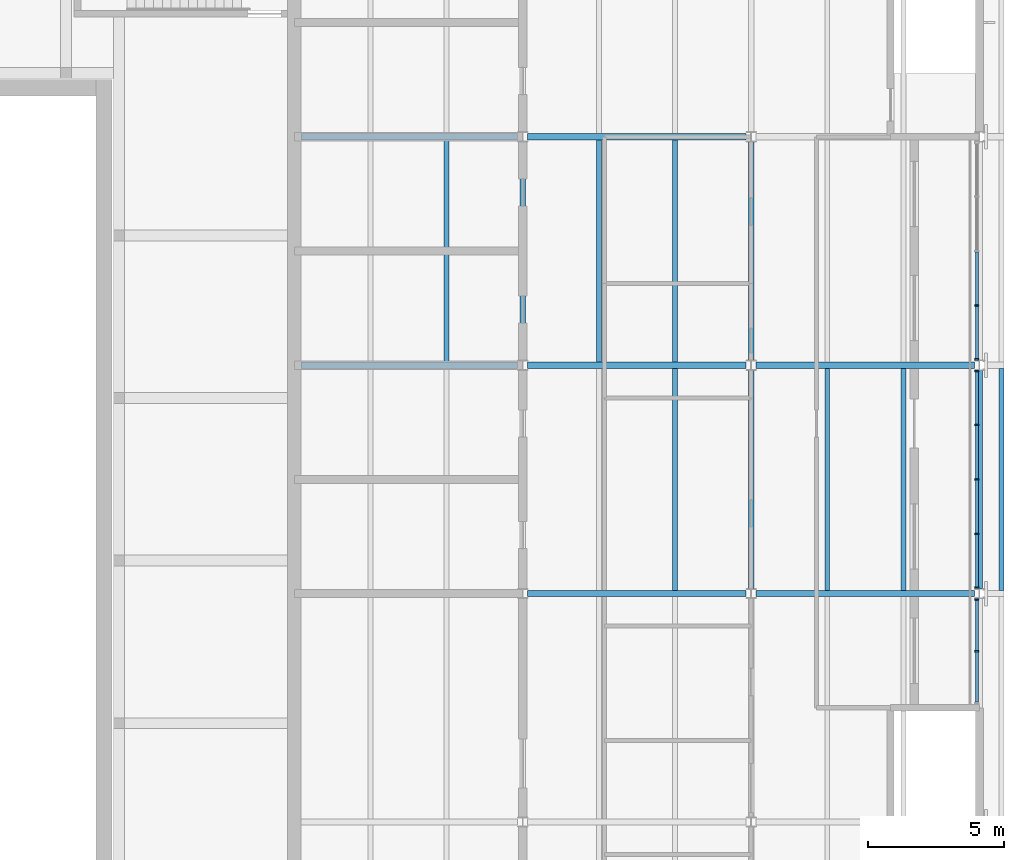
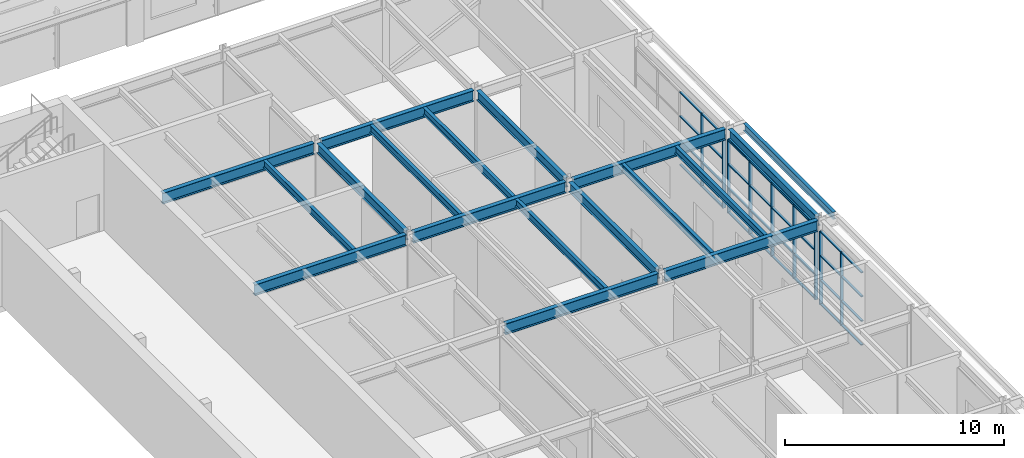
# One storey, part 48 of 116: 41 members, 18 beams, 3 elements without a shape of their own.
"""IFC4 building model written with IfcOpenShell, lengths in metres."""

from ifc_helpers import new_model, si_unit, direction, frame, origin, origin_2d, place, context, subcontext, project, spatial, rectangle, i_section, extrude, material, material_profile, profile_set, type_object, element, aggregate, save


model = new_model("IFC4")

# Units and contexts
model_context = context("Model", 3, precision=1e-05, world=origin(), true_north=direction((0.0, 1.0)))
body_context = subcontext(model_context, "Body", "Model", "MODEL_VIEW")
ifc_project = project(units=[si_unit("LENGTHUNIT", "METRE"), si_unit("AREAUNIT", "SQUARE_METRE"), si_unit("VOLUMEUNIT", "CUBIC_METRE"), si_unit("PLANEANGLEUNIT", "RADIAN"), si_unit("MASSUNIT", "GRAM", prefix="KILO")], contexts=[model_context])

# Site, building, storey
site_placement = place(None, origin())
site = spatial("IfcSite", under=ifc_project, at=site_placement, CompositionType="ELEMENT")
building_placement = place(site_placement, origin())
building = spatial("IfcBuilding", under=site, at=building_placement, Name="Ljudholm Concert House", CompositionType="ELEMENT")
storey_placement = place(building_placement, frame((0.0, 0.0, 10.199951171875)))
storey = spatial("IfcBuildingStorey", under=building, at=storey_placement, Name="L02", CompositionType="ELEMENT", Elevation=10.199951171875)

# Curtain wall, members
ifc_material_1 = material(Name="Aluminium curtain wall with fixed aluminium storm louvre blades, timber-grain finish", Category="aluminium")
curtain_wall_type = type_object("IfcCurtainWallType", Name="CURTAIN WALL 2000", PredefinedType="NOTDEFINED", material=ifc_material_1)
curtain_wall_1_placement = place(storey_placement, origin())
curtain_wall_1 = element("IfcCurtainWall", 1, at=curtain_wall_1_placement, inside=storey, type_object=curtain_wall_type, Name="Storm louvre screen", PredefinedType="NOTDEFINED")
ifc_material_2 = material(Name="Aluminium extrusion", Category="aluminium")
ifc_material_profile_1 = material_profile(ifc_material_2, rectangle(XDim=0.159912109375, YDim=0.06005859375, at=origin_2d()), Name="MULLION 60x160")
ifc_profile_set_1 = profile_set([ifc_material_profile_1], Name="Aluminium extrusion")
member_type_1 = type_object("IfcMemberType", Name="MULLION 60x160", PredefinedType="MULLION", material=ifc_profile_set_1)
member_1_placement = place(storey_placement, frame((121.5, 69.080078125, 0.0), z_axis=(0.0, 0.0, 1.0), x_axis=(-1.0, 0.0, 0.0)))
member_1 = element("IfcMember", 2, at=member_1_placement, type_object=member_type_1, Name="Mullion", PredefinedType="MULLION", context=body_context, shape_type="SweptSolid", body=[
    extrude(rectangle(XDim=0.159912109375, YDim=0.06005859375, at=origin_2d()), origin(), (0.0, 0.0, 1.0), 4.086669921875),
])
member_2_placement = place(storey_placement, frame((121.5, 70.97998046875, 0.0), z_axis=(0.0, 0.0, 1.0), x_axis=(-1.0, 0.0, 0.0)))
member_2 = element("IfcMember", 3, at=member_2_placement, type_object=member_type_1, Name="Mullion", PredefinedType="MULLION", context=body_context, shape_type="SweptSolid", body=[
    extrude(rectangle(XDim=0.159912109375, YDim=0.06005859375, at=origin_2d()), origin(), (0.0, 0.0, 1.0), 4.086669921875),
])

curtain_wall_2_placement = place(storey_placement, origin())
curtain_wall_2 = element("IfcCurtainWall", 4, at=curtain_wall_2_placement, inside=storey, type_object=curtain_wall_type, Name="Storm louvre screen", PredefinedType="NOTDEFINED")
member_3_placement = place(storey_placement, frame((121.5, 71.419921875, 0.0), z_axis=(0.0, 0.0, 1.0), x_axis=(-1.0, 0.0, 0.0)))
member_3 = element("IfcMember", 5, at=member_3_placement, type_object=member_type_1, Name="Mullion", PredefinedType="MULLION", context=body_context, shape_type="SweptSolid", body=[
    extrude(rectangle(XDim=0.159912109375, YDim=0.06005859375, at=origin_2d()), origin(), (0.0, 0.0, 1.0), 4.086669921875),
])
member_4_placement = place(storey_placement, frame((121.5, 73.39501953125, 0.0), z_axis=(0.0, 0.0, 1.0), x_axis=(-1.0, 0.0, 0.0)))
member_4 = element("IfcMember", 6, at=member_4_placement, type_object=member_type_1, Name="Mullion", PredefinedType="MULLION", context=body_context, shape_type="SweptSolid", body=[
    extrude(rectangle(XDim=0.159912109375, YDim=0.06005859375, at=origin_2d()), origin(), (0.0, 0.0, 1.0), 4.086669921875),
])
member_5_placement = place(storey_placement, frame((121.5, 75.39990234375, 0.0), z_axis=(0.0, 0.0, 1.0), x_axis=(-1.0, 0.0, 0.0)))
member_5 = element("IfcMember", 7, at=member_5_placement, type_object=member_type_1, Name="Mullion", PredefinedType="MULLION", context=body_context, shape_type="SweptSolid", body=[
    extrude(rectangle(XDim=0.159912109375, YDim=0.06005859375, at=origin_2d()), origin(), (0.0, 0.0, 1.0), 4.086669921875),
])
member_6_placement = place(storey_placement, frame((121.5, 77.405029296875, 0.0), z_axis=(0.0, 0.0, 1.0), x_axis=(-1.0, 0.0, 0.0)))
member_6 = element("IfcMember", 8, at=member_6_placement, type_object=member_type_1, Name="Mullion", PredefinedType="MULLION", context=body_context, shape_type="SweptSolid", body=[
    extrude(rectangle(XDim=0.159912109375, YDim=0.06005859375, at=origin_2d()), origin(), (0.0, 0.0, 1.0), 4.086669921875),
])
member_7_placement = place(storey_placement, frame((121.5, 79.3798828125, 0.0), z_axis=(0.0, 0.0, 1.0), x_axis=(-1.0, 0.0, 0.0)))
member_7 = element("IfcMember", 9, at=member_7_placement, type_object=member_type_1, Name="Mullion", PredefinedType="MULLION", context=body_context, shape_type="SweptSolid", body=[
    extrude(rectangle(XDim=0.159912109375, YDim=0.06005859375, at=origin_2d()), origin(), (0.0, 0.0, 1.0), 4.086669921875),
])

curtain_wall_3_placement = place(storey_placement, origin())
curtain_wall_3 = element("IfcCurtainWall", 10, at=curtain_wall_3_placement, inside=storey, type_object=curtain_wall_type, Name="Storm louvre screen", PredefinedType="NOTDEFINED")
member_8_placement = place(storey_placement, frame((121.5, 79.820068359375, 0.0), z_axis=(0.0, 0.0, 1.0), x_axis=(-1.0, 0.0, 0.0)))
member_8 = element("IfcMember", 11, at=member_8_placement, type_object=member_type_1, Name="Mullion", PredefinedType="MULLION", context=body_context, shape_type="SweptSolid", body=[
    extrude(rectangle(XDim=0.159912109375, YDim=0.06005859375, at=origin_2d()), origin(), (0.0, 0.0, 1.0), 4.086669921875),
])
member_9_placement = place(storey_placement, frame((121.5, 81.794921875, 0.0), z_axis=(0.0, 0.0, 1.0), x_axis=(-1.0, 0.0, 0.0)))
member_9 = element("IfcMember", 12, at=member_9_placement, type_object=member_type_1, Name="Mullion", PredefinedType="MULLION", context=body_context, shape_type="SweptSolid", body=[
    extrude(rectangle(XDim=0.159912109375, YDim=0.06005859375, at=origin_2d()), origin(), (0.0, 0.0, 1.0), 4.086669921875),
])

# Beams
ifc_material_3 = material(Name="Steel ASTM A992", Category="steel")
ifc_material_profile_2 = material_profile(ifc_material_3, i_section(OverallWidth=0.177734375, OverallDepth=0.406494140625, WebThickness=0.0078125, FlangeThickness=0.012939453125, FilletRadius=0.01025390625, at=origin_2d()), Name="W16X40")
ifc_profile_set_2 = profile_set([ifc_material_profile_2], Name="Steel ASTM A992")
beam_type_1 = type_object("IfcBeamType", Name="STEEL BEAM W16X40", PredefinedType="BEAM", material=ifc_profile_set_2)
for number, where, z_axis, x_axis, name in (
    (13, (102.0, 79.714599609375, 4.416748046875), (0.0, 1.0, 0.0), (-1.0, 0.0, 0.0), "Beam BOH-ROOF-sb-102-79.6"),
    (14, (110.39990234375, 71.314453125, 4.416748046875), (0.0, 1.0, 0.0), (-1.0, 0.0, 0.0), "Beam BOH-ROOF-sb-110.4-71.2"),
    (15, (107.60009765625, 79.714599609375, 4.416748046875), (0.0, 1.0, 0.0), (-1.0, 0.0, 0.0), "Beam BOH-ROOF-sb-107.6-79.6"),
    (16, (110.39990234375, 79.714599609375, 4.416748046875), (0.0, 1.0, 0.0), (-1.0, 0.0, 0.0), "Beam BOH-ROOF-sb-110.4-79.6"),
    (17, (116.0, 71.314453125, 4.416748046875), (0.0, 1.0, 0.0), (-1.0, 0.0, 0.0), "Beam BOH-ROOF-sb-116-71.2"),
    (18, (118.800048828125, 71.314453125, 4.416748046875), (0.0, 1.0, 0.0), (-1.0, 0.0, 0.0), "Beam BOH-ROOF-sb-118.8-71.2"),
    (19, (122.4111328125, 71.314453125, 4.416748046875), (0.0, 1.0, 0.0), (-1.0, 0.0, 0.0), "Beam BOH-ROOF-eave-edge-E9"),
):
    element("IfcBeam", number, at=place(storey_placement, frame(where, z_axis=z_axis, x_axis=x_axis)), inside=storey, type_object=beam_type_1, Name=name, PredefinedType="BEAM", context=body_context, shape_type="SweptSolid", body=[
        extrude(i_section(OverallWidth=0.177734375, OverallDepth=0.406494140625, WebThickness=0.0078125, FlangeThickness=0.012939453125, FilletRadius=0.01025390625, at=origin_2d()), origin(), (0.0, 0.0, 1.0), 8.1708984375),
    ])
ifc_material_4 = material(Name="Steel ASTM A992", Category="steel")
ifc_material_profile_3 = material_profile(ifc_material_4, i_section(OverallWidth=0.209228515625, OverallDepth=0.533447265625, WebThickness=0.01025390625, FlangeThickness=0.015625, FilletRadius=0.012939453125, at=origin_2d()), Name="W21X62")
ifc_profile_set_3 = profile_set([ifc_material_profile_3], Name="Steel ASTM A992")
beam_type_2 = type_object("IfcBeamType", Name="STEEL BEAM W21X62", PredefinedType="BEAM", material=ifc_profile_set_3)
for number, where, z_axis, x_axis, name in (
    (20, (104.800048828125, 79.77783203125, 4.353271484375), (0.0, 1.0, 0.0), (-1.0, 0.0, 0.0), "Beam BOH-ROOF-gy-104.8-79.6"),
    (21, (113.199951171875, 71.377685546875, 4.353271484375), (0.0, 1.0, 0.0), (-1.0, 0.0, 0.0), "Beam BOH-ROOF-gy-113.2-71.2"),
    (22, (113.199951171875, 79.77783203125, 4.353271484375), (0.0, 1.0, 0.0), (-1.0, 0.0, 0.0), "Beam BOH-ROOF-gy-113.2-79.6"),
    (23, (121.60009765625, 71.377685546875, 4.353271484375), (0.0, 1.0, 0.0), (-1.0, 0.0, 0.0), "Beam BOH-ROOF-gy-121.6-71.2"),
):
    element("IfcBeam", number, at=place(storey_placement, frame(where, z_axis=z_axis, x_axis=x_axis)), inside=storey, type_object=beam_type_2, Name=name, PredefinedType="BEAM", context=body_context, shape_type="SweptSolid", body=[
        extrude(i_section(OverallWidth=0.209228515625, OverallDepth=0.533447265625, WebThickness=0.01025390625, FlangeThickness=0.015625, FilletRadius=0.012939453125, at=origin_2d()), origin(), (0.0, 0.0, 1.0), 8.04443359375),
    ])
ifc_material_5 = material(Name="Steel ASTM A992", Category="steel")
ifc_material_profile_4 = material_profile(ifc_material_5, i_section(OverallWidth=0.22900390625, OverallDepth=0.612060546875, WebThickness=0.011962890625, FlangeThickness=0.01953125, FilletRadius=0.0126953125, at=origin_2d()), Name="W24X84")
ifc_profile_set_4 = profile_set([ifc_material_profile_4], Name="Steel ASTM A992")
beam_type_3 = type_object("IfcBeamType", Name="STEEL BEAM W24X84", PredefinedType="BEAM", material=ifc_profile_set_4)
for number, where, z_axis, x_axis, name in (
    (24, (104.984130859375, 71.199951171875, 4.31396484375), (1.0, 0.0, 0.0), (0.0, 1.0, 0.0), "Beam BOH-ROOF-gx-104.8-71.2"),
    (25, (113.384033203125, 71.199951171875, 4.31396484375), (1.0, 0.0, 0.0), (0.0, 1.0, 0.0), "Beam BOH-ROOF-gx-113.2-71.2"),
):
    element("IfcBeam", number, at=place(storey_placement, frame(where, z_axis=z_axis, x_axis=x_axis)), inside=storey, type_object=beam_type_3, Name=name, PredefinedType="BEAM", context=body_context, shape_type="SweptSolid", body=[
        extrude(i_section(OverallWidth=0.22900390625, OverallDepth=0.612060546875, WebThickness=0.011962890625, FlangeThickness=0.01953125, FilletRadius=0.0126953125, at=origin_2d()), origin(), (0.0, 0.0, 1.0), 8.03173828125),
    ])
beam_1_placement = place(storey_placement, frame((96.64990234375, 79.60009765625, 4.31396484375), z_axis=(1.0, 0.0, 0.0), x_axis=(0.0, 1.0, 0.0)))
element("IfcBeam", 26, at=beam_1_placement, inside=storey, type_object=beam_type_3, Name="Beam BOH-ROOF-gx-96.4-79.6", PredefinedType="BEAM", context=body_context, shape_type="SweptSolid", body=[
    extrude(i_section(OverallWidth=0.22900390625, OverallDepth=0.612060546875, WebThickness=0.011962890625, FlangeThickness=0.01953125, FilletRadius=0.0126953125, at=origin_2d()), origin(), (0.0, 0.0, 1.0), 7.966064453125),
])
for number, where, z_axis, x_axis, name in (
    (27, (104.984130859375, 79.60009765625, 4.31396484375), (1.0, 0.0, 0.0), (0.0, 1.0, 0.0), "Beam BOH-ROOF-gx-104.8-79.6"),
    (28, (113.384033203125, 79.60009765625, 4.31396484375), (1.0, 0.0, 0.0), (0.0, 1.0, 0.0), "Beam BOH-ROOF-gx-113.2-79.6"),
):
    element("IfcBeam", number, at=place(storey_placement, frame(where, z_axis=z_axis, x_axis=x_axis)), inside=storey, type_object=beam_type_3, Name=name, PredefinedType="BEAM", context=body_context, shape_type="SweptSolid", body=[
        extrude(i_section(OverallWidth=0.22900390625, OverallDepth=0.612060546875, WebThickness=0.011962890625, FlangeThickness=0.01953125, FilletRadius=0.0126953125, at=origin_2d()), origin(), (0.0, 0.0, 1.0), 8.03173828125),
    ])
beam_2_placement = place(storey_placement, frame((96.64990234375, 88.0, 4.31396484375), z_axis=(1.0, 0.0, 0.0), x_axis=(0.0, 1.0, 0.0)))
element("IfcBeam", 29, at=beam_2_placement, inside=storey, type_object=beam_type_3, Name="Beam BOH-ROOF-gx-96.4-88", PredefinedType="BEAM", context=body_context, shape_type="SweptSolid", body=[
    extrude(i_section(OverallWidth=0.22900390625, OverallDepth=0.612060546875, WebThickness=0.011962890625, FlangeThickness=0.01953125, FilletRadius=0.0126953125, at=origin_2d()), origin(), (0.0, 0.0, 1.0), 7.966064453125),
])
beam_3_placement = place(storey_placement, frame((104.984130859375, 88.0, 4.31396484375), z_axis=(1.0, 0.0, 0.0), x_axis=(0.0, 1.0, 0.0)))
element("IfcBeam", 30, at=beam_3_placement, inside=storey, type_object=beam_type_3, Name="Beam BOH-ROOF-gx-104.8-88", PredefinedType="BEAM", context=body_context, shape_type="SweptSolid", body=[
    extrude(i_section(OverallWidth=0.22900390625, OverallDepth=0.612060546875, WebThickness=0.011962890625, FlangeThickness=0.01953125, FilletRadius=0.0126953125, at=origin_2d()), origin(), (0.0, 0.0, 1.0), 8.03173828125),
])

# Member
ifc_material_6 = material(Name="Aluminium extrusion", Category="aluminium")
ifc_material_profile_5 = material_profile(ifc_material_6, rectangle(XDim=0.1201171875, YDim=0.06005859375, at=origin_2d()), Name="TRANSOM 60x120")
ifc_profile_set_5 = profile_set([ifc_material_profile_5], Name="Aluminium extrusion")
member_type_2 = type_object("IfcMemberType", Name="TRANSOM 60x120", PredefinedType="USERDEFINED", material=ifc_profile_set_5)
member_10_placement = place(storey_placement, frame((121.5, 67.2099609375, 0.030029296875), z_axis=(0.0, 1.0, 0.0), x_axis=(-1.0, 0.0, 0.0)))
member_10 = element("IfcMember", 31, at=member_10_placement, type_object=member_type_2, Name="Transom", ObjectType="TRANSOM", PredefinedType="USERDEFINED", context=body_context, shape_type="SweptSolid", body=[
    extrude(rectangle(XDim=0.1201171875, YDim=0.06005859375, at=origin_2d()), origin(), (0.0, 0.0, 1.0), 1.840087890625),
])

member_11_placement = place(storey_placement, frame((121.5, 67.2099609375, 1.3623046875), z_axis=(0.0, 1.0, 0.0), x_axis=(-1.0, 0.0, 0.0)))
member_11 = element("IfcMember", 32, at=member_11_placement, type_object=member_type_2, Name="Transom", ObjectType="TRANSOM", PredefinedType="USERDEFINED", context=body_context, shape_type="SweptSolid", body=[
    extrude(rectangle(XDim=0.1201171875, YDim=0.06005859375, at=origin_2d()), origin(), (0.0, 0.0, 1.0), 1.840087890625),
])

member_12_placement = place(storey_placement, frame((121.5, 67.2099609375, 2.724365234375), z_axis=(0.0, 1.0, 0.0), x_axis=(-1.0, 0.0, 0.0)))
member_12 = element("IfcMember", 33, at=member_12_placement, type_object=member_type_2, Name="Transom", ObjectType="TRANSOM", PredefinedType="USERDEFINED", context=body_context, shape_type="SweptSolid", body=[
    extrude(rectangle(XDim=0.1201171875, YDim=0.06005859375, at=origin_2d()), origin(), (0.0, 0.0, 1.0), 1.840087890625),
])

member_13_placement = place(storey_placement, frame((121.5, 67.2099609375, 4.056640625), z_axis=(0.0, 1.0, 0.0), x_axis=(-1.0, 0.0, 0.0)))
member_13 = element("IfcMember", 34, at=member_13_placement, type_object=member_type_2, Name="Transom", ObjectType="TRANSOM", PredefinedType="USERDEFINED", context=body_context, shape_type="SweptSolid", body=[
    extrude(rectangle(XDim=0.1201171875, YDim=0.06005859375, at=origin_2d()), origin(), (0.0, 0.0, 1.0), 1.840087890625),
])

member_14_placement = place(storey_placement, frame((121.5, 69.110107421875, 0.030029296875), z_axis=(0.0, 1.0, 0.0), x_axis=(-1.0, 0.0, 0.0)))
member_14 = element("IfcMember", 35, at=member_14_placement, type_object=member_type_2, Name="Transom", ObjectType="TRANSOM", PredefinedType="USERDEFINED", context=body_context, shape_type="SweptSolid", body=[
    extrude(rectangle(XDim=0.1201171875, YDim=0.06005859375, at=origin_2d()), origin(), (0.0, 0.0, 1.0), 1.83984375),
])

member_15_placement = place(storey_placement, frame((121.5, 69.110107421875, 1.3623046875), z_axis=(0.0, 1.0, 0.0), x_axis=(-1.0, 0.0, 0.0)))
member_15 = element("IfcMember", 36, at=member_15_placement, type_object=member_type_2, Name="Transom", ObjectType="TRANSOM", PredefinedType="USERDEFINED", context=body_context, shape_type="SweptSolid", body=[
    extrude(rectangle(XDim=0.1201171875, YDim=0.06005859375, at=origin_2d()), origin(), (0.0, 0.0, 1.0), 1.83984375),
])

member_16_placement = place(storey_placement, frame((121.5, 69.110107421875, 2.724365234375), z_axis=(0.0, 1.0, 0.0), x_axis=(-1.0, 0.0, 0.0)))
member_16 = element("IfcMember", 37, at=member_16_placement, type_object=member_type_2, Name="Transom", ObjectType="TRANSOM", PredefinedType="USERDEFINED", context=body_context, shape_type="SweptSolid", body=[
    extrude(rectangle(XDim=0.1201171875, YDim=0.06005859375, at=origin_2d()), origin(), (0.0, 0.0, 1.0), 1.83984375),
])

member_17_placement = place(storey_placement, frame((121.5, 69.110107421875, 4.056640625), z_axis=(0.0, 1.0, 0.0), x_axis=(-1.0, 0.0, 0.0)))
member_17 = element("IfcMember", 38, at=member_17_placement, type_object=member_type_2, Name="Transom", ObjectType="TRANSOM", PredefinedType="USERDEFINED", context=body_context, shape_type="SweptSolid", body=[
    extrude(rectangle(XDim=0.1201171875, YDim=0.06005859375, at=origin_2d()), origin(), (0.0, 0.0, 1.0), 1.83984375),
])

aggregate(curtain_wall_1, [member_1, member_2, member_10, member_11, member_12, member_13, member_14, member_15, member_16, member_17])

member_18_placement = place(storey_placement, frame((121.5, 71.449951171875, 0.030029296875), z_axis=(0.0, 1.0, 0.0), x_axis=(-1.0, 0.0, 0.0)))
member_18 = element("IfcMember", 39, at=member_18_placement, type_object=member_type_2, Name="Transom", ObjectType="TRANSOM", PredefinedType="USERDEFINED", context=body_context, shape_type="SweptSolid", body=[
    extrude(rectangle(XDim=0.1201171875, YDim=0.06005859375, at=origin_2d()), origin(), (0.0, 0.0, 1.0), 1.9150390625),
])

member_19_placement = place(storey_placement, frame((121.5, 71.449951171875, 1.3623046875), z_axis=(0.0, 1.0, 0.0), x_axis=(-1.0, 0.0, 0.0)))
member_19 = element("IfcMember", 40, at=member_19_placement, type_object=member_type_2, Name="Transom", ObjectType="TRANSOM", PredefinedType="USERDEFINED", context=body_context, shape_type="SweptSolid", body=[
    extrude(rectangle(XDim=0.1201171875, YDim=0.06005859375, at=origin_2d()), origin(), (0.0, 0.0, 1.0), 1.9150390625),
])

member_20_placement = place(storey_placement, frame((121.5, 71.449951171875, 2.724365234375), z_axis=(0.0, 1.0, 0.0), x_axis=(-1.0, 0.0, 0.0)))
member_20 = element("IfcMember", 41, at=member_20_placement, type_object=member_type_2, Name="Transom", ObjectType="TRANSOM", PredefinedType="USERDEFINED", context=body_context, shape_type="SweptSolid", body=[
    extrude(rectangle(XDim=0.1201171875, YDim=0.06005859375, at=origin_2d()), origin(), (0.0, 0.0, 1.0), 1.9150390625),
])

member_21_placement = place(storey_placement, frame((121.5, 71.449951171875, 4.056640625), z_axis=(0.0, 1.0, 0.0), x_axis=(-1.0, 0.0, 0.0)))
member_21 = element("IfcMember", 42, at=member_21_placement, type_object=member_type_2, Name="Transom", ObjectType="TRANSOM", PredefinedType="USERDEFINED", context=body_context, shape_type="SweptSolid", body=[
    extrude(rectangle(XDim=0.1201171875, YDim=0.06005859375, at=origin_2d()), origin(), (0.0, 0.0, 1.0), 1.9150390625),
])

member_22_placement = place(storey_placement, frame((121.5, 73.425048828125, 0.030029296875), z_axis=(0.0, 1.0, 0.0), x_axis=(-1.0, 0.0, 0.0)))
member_22 = element("IfcMember", 43, at=member_22_placement, type_object=member_type_2, Name="Transom", ObjectType="TRANSOM", PredefinedType="USERDEFINED", context=body_context, shape_type="SweptSolid", body=[
    extrude(rectangle(XDim=0.1201171875, YDim=0.06005859375, at=origin_2d()), origin(), (0.0, 0.0, 1.0), 1.945068359375),
])

member_23_placement = place(storey_placement, frame((121.5, 73.425048828125, 1.3623046875), z_axis=(0.0, 1.0, 0.0), x_axis=(-1.0, 0.0, 0.0)))
member_23 = element("IfcMember", 44, at=member_23_placement, type_object=member_type_2, Name="Transom", ObjectType="TRANSOM", PredefinedType="USERDEFINED", context=body_context, shape_type="SweptSolid", body=[
    extrude(rectangle(XDim=0.1201171875, YDim=0.06005859375, at=origin_2d()), origin(), (0.0, 0.0, 1.0), 1.945068359375),
])

member_24_placement = place(storey_placement, frame((121.5, 73.425048828125, 2.724365234375), z_axis=(0.0, 1.0, 0.0), x_axis=(-1.0, 0.0, 0.0)))
member_24 = element("IfcMember", 45, at=member_24_placement, type_object=member_type_2, Name="Transom", ObjectType="TRANSOM", PredefinedType="USERDEFINED", context=body_context, shape_type="SweptSolid", body=[
    extrude(rectangle(XDim=0.1201171875, YDim=0.06005859375, at=origin_2d()), origin(), (0.0, 0.0, 1.0), 1.945068359375),
])

member_25_placement = place(storey_placement, frame((121.5, 73.425048828125, 4.056640625), z_axis=(0.0, 1.0, 0.0), x_axis=(-1.0, 0.0, 0.0)))
member_25 = element("IfcMember", 46, at=member_25_placement, type_object=member_type_2, Name="Transom", ObjectType="TRANSOM", PredefinedType="USERDEFINED", context=body_context, shape_type="SweptSolid", body=[
    extrude(rectangle(XDim=0.1201171875, YDim=0.06005859375, at=origin_2d()), origin(), (0.0, 0.0, 1.0), 1.945068359375),
])

member_26_placement = place(storey_placement, frame((121.5, 75.429931640625, 0.030029296875), z_axis=(0.0, 1.0, 0.0), x_axis=(-1.0, 0.0, 0.0)))
member_26 = element("IfcMember", 47, at=member_26_placement, type_object=member_type_2, Name="Transom", ObjectType="TRANSOM", PredefinedType="USERDEFINED", context=body_context, shape_type="SweptSolid", body=[
    extrude(rectangle(XDim=0.1201171875, YDim=0.06005859375, at=origin_2d()), origin(), (0.0, 0.0, 1.0), 1.945068359375),
])

member_27_placement = place(storey_placement, frame((121.5, 75.429931640625, 1.3623046875), z_axis=(0.0, 1.0, 0.0), x_axis=(-1.0, 0.0, 0.0)))
member_27 = element("IfcMember", 48, at=member_27_placement, type_object=member_type_2, Name="Transom", ObjectType="TRANSOM", PredefinedType="USERDEFINED", context=body_context, shape_type="SweptSolid", body=[
    extrude(rectangle(XDim=0.1201171875, YDim=0.06005859375, at=origin_2d()), origin(), (0.0, 0.0, 1.0), 1.945068359375),
])

member_28_placement = place(storey_placement, frame((121.5, 75.429931640625, 2.724365234375), z_axis=(0.0, 1.0, 0.0), x_axis=(-1.0, 0.0, 0.0)))
member_28 = element("IfcMember", 49, at=member_28_placement, type_object=member_type_2, Name="Transom", ObjectType="TRANSOM", PredefinedType="USERDEFINED", context=body_context, shape_type="SweptSolid", body=[
    extrude(rectangle(XDim=0.1201171875, YDim=0.06005859375, at=origin_2d()), origin(), (0.0, 0.0, 1.0), 1.945068359375),
])

member_29_placement = place(storey_placement, frame((121.5, 75.429931640625, 4.056640625), z_axis=(0.0, 1.0, 0.0), x_axis=(-1.0, 0.0, 0.0)))
member_29 = element("IfcMember", 50, at=member_29_placement, type_object=member_type_2, Name="Transom", ObjectType="TRANSOM", PredefinedType="USERDEFINED", context=body_context, shape_type="SweptSolid", body=[
    extrude(rectangle(XDim=0.1201171875, YDim=0.06005859375, at=origin_2d()), origin(), (0.0, 0.0, 1.0), 1.945068359375),
])

member_30_placement = place(storey_placement, frame((121.5, 77.43505859375, 0.030029296875), z_axis=(0.0, 1.0, 0.0), x_axis=(-1.0, 0.0, 0.0)))
member_30 = element("IfcMember", 51, at=member_30_placement, type_object=member_type_2, Name="Transom", ObjectType="TRANSOM", PredefinedType="USERDEFINED", context=body_context, shape_type="SweptSolid", body=[
    extrude(rectangle(XDim=0.1201171875, YDim=0.06005859375, at=origin_2d()), origin(), (0.0, 0.0, 1.0), 1.9150390625),
])

member_31_placement = place(storey_placement, frame((121.5, 77.43505859375, 1.3623046875), z_axis=(0.0, 1.0, 0.0), x_axis=(-1.0, 0.0, 0.0)))
member_31 = element("IfcMember", 52, at=member_31_placement, type_object=member_type_2, Name="Transom", ObjectType="TRANSOM", PredefinedType="USERDEFINED", context=body_context, shape_type="SweptSolid", body=[
    extrude(rectangle(XDim=0.1201171875, YDim=0.06005859375, at=origin_2d()), origin(), (0.0, 0.0, 1.0), 1.9150390625),
])

member_32_placement = place(storey_placement, frame((121.5, 77.43505859375, 2.724365234375), z_axis=(0.0, 1.0, 0.0), x_axis=(-1.0, 0.0, 0.0)))
member_32 = element("IfcMember", 53, at=member_32_placement, type_object=member_type_2, Name="Transom", ObjectType="TRANSOM", PredefinedType="USERDEFINED", context=body_context, shape_type="SweptSolid", body=[
    extrude(rectangle(XDim=0.1201171875, YDim=0.06005859375, at=origin_2d()), origin(), (0.0, 0.0, 1.0), 1.9150390625),
])

member_33_placement = place(storey_placement, frame((121.5, 77.43505859375, 4.056640625), z_axis=(0.0, 1.0, 0.0), x_axis=(-1.0, 0.0, 0.0)))
member_33 = element("IfcMember", 54, at=member_33_placement, type_object=member_type_2, Name="Transom", ObjectType="TRANSOM", PredefinedType="USERDEFINED", context=body_context, shape_type="SweptSolid", body=[
    extrude(rectangle(XDim=0.1201171875, YDim=0.06005859375, at=origin_2d()), origin(), (0.0, 0.0, 1.0), 1.9150390625),
])

aggregate(curtain_wall_2, [member_3, member_4, member_5, member_6, member_7, member_18, member_19, member_20, member_21, member_22, member_23, member_24, member_25, member_26, member_27, member_28, member_29, member_30, member_31, member_32, member_33])

member_34_placement = place(storey_placement, frame((121.5, 79.85009765625, 0.030029296875), z_axis=(0.0, 1.0, 0.0), x_axis=(-1.0, 0.0, 0.0)))
member_34 = element("IfcMember", 55, at=member_34_placement, type_object=member_type_2, Name="Transom", ObjectType="TRANSOM", PredefinedType="USERDEFINED", context=body_context, shape_type="SweptSolid", body=[
    extrude(rectangle(XDim=0.1201171875, YDim=0.06005859375, at=origin_2d()), origin(), (0.0, 0.0, 1.0), 1.914794921875),
])

member_35_placement = place(storey_placement, frame((121.5, 79.85009765625, 1.3623046875), z_axis=(0.0, 1.0, 0.0), x_axis=(-1.0, 0.0, 0.0)))
member_35 = element("IfcMember", 56, at=member_35_placement, type_object=member_type_2, Name="Transom", ObjectType="TRANSOM", PredefinedType="USERDEFINED", context=body_context, shape_type="SweptSolid", body=[
    extrude(rectangle(XDim=0.1201171875, YDim=0.06005859375, at=origin_2d()), origin(), (0.0, 0.0, 1.0), 1.914794921875),
])

member_36_placement = place(storey_placement, frame((121.5, 79.85009765625, 2.724365234375), z_axis=(0.0, 1.0, 0.0), x_axis=(-1.0, 0.0, 0.0)))
member_36 = element("IfcMember", 57, at=member_36_placement, type_object=member_type_2, Name="Transom", ObjectType="TRANSOM", PredefinedType="USERDEFINED", context=body_context, shape_type="SweptSolid", body=[
    extrude(rectangle(XDim=0.1201171875, YDim=0.06005859375, at=origin_2d()), origin(), (0.0, 0.0, 1.0), 1.914794921875),
])

member_37_placement = place(storey_placement, frame((121.5, 79.85009765625, 4.056640625), z_axis=(0.0, 1.0, 0.0), x_axis=(-1.0, 0.0, 0.0)))
member_37 = element("IfcMember", 58, at=member_37_placement, type_object=member_type_2, Name="Transom", ObjectType="TRANSOM", PredefinedType="USERDEFINED", context=body_context, shape_type="SweptSolid", body=[
    extrude(rectangle(XDim=0.1201171875, YDim=0.06005859375, at=origin_2d()), origin(), (0.0, 0.0, 1.0), 1.914794921875),
])

member_38_placement = place(storey_placement, frame((121.5, 81.824951171875, 0.030029296875), z_axis=(0.0, 1.0, 0.0), x_axis=(-1.0, 0.0, 0.0)))
member_38 = element("IfcMember", 59, at=member_38_placement, type_object=member_type_2, Name="Transom", ObjectType="TRANSOM", PredefinedType="USERDEFINED", context=body_context, shape_type="SweptSolid", body=[
    extrude(rectangle(XDim=0.1201171875, YDim=0.06005859375, at=origin_2d()), origin(), (0.0, 0.0, 1.0), 1.945068359375),
])

member_39_placement = place(storey_placement, frame((121.5, 81.824951171875, 1.3623046875), z_axis=(0.0, 1.0, 0.0), x_axis=(-1.0, 0.0, 0.0)))
member_39 = element("IfcMember", 60, at=member_39_placement, type_object=member_type_2, Name="Transom", ObjectType="TRANSOM", PredefinedType="USERDEFINED", context=body_context, shape_type="SweptSolid", body=[
    extrude(rectangle(XDim=0.1201171875, YDim=0.06005859375, at=origin_2d()), origin(), (0.0, 0.0, 1.0), 1.945068359375),
])

member_40_placement = place(storey_placement, frame((121.5, 81.824951171875, 2.724365234375), z_axis=(0.0, 1.0, 0.0), x_axis=(-1.0, 0.0, 0.0)))
member_40 = element("IfcMember", 61, at=member_40_placement, type_object=member_type_2, Name="Transom", ObjectType="TRANSOM", PredefinedType="USERDEFINED", context=body_context, shape_type="SweptSolid", body=[
    extrude(rectangle(XDim=0.1201171875, YDim=0.06005859375, at=origin_2d()), origin(), (0.0, 0.0, 1.0), 1.945068359375),
])

member_41_placement = place(storey_placement, frame((121.5, 81.824951171875, 4.056640625), z_axis=(0.0, 1.0, 0.0), x_axis=(-1.0, 0.0, 0.0)))
member_41 = element("IfcMember", 62, at=member_41_placement, type_object=member_type_2, Name="Transom", ObjectType="TRANSOM", PredefinedType="USERDEFINED", context=body_context, shape_type="SweptSolid", body=[
    extrude(rectangle(XDim=0.1201171875, YDim=0.06005859375, at=origin_2d()), origin(), (0.0, 0.0, 1.0), 1.945068359375),
])

aggregate(curtain_wall_3, [member_8, member_9, member_34, member_35, member_36, member_37, member_38, member_39, member_40, member_41])

save(model, "model.ifc")
